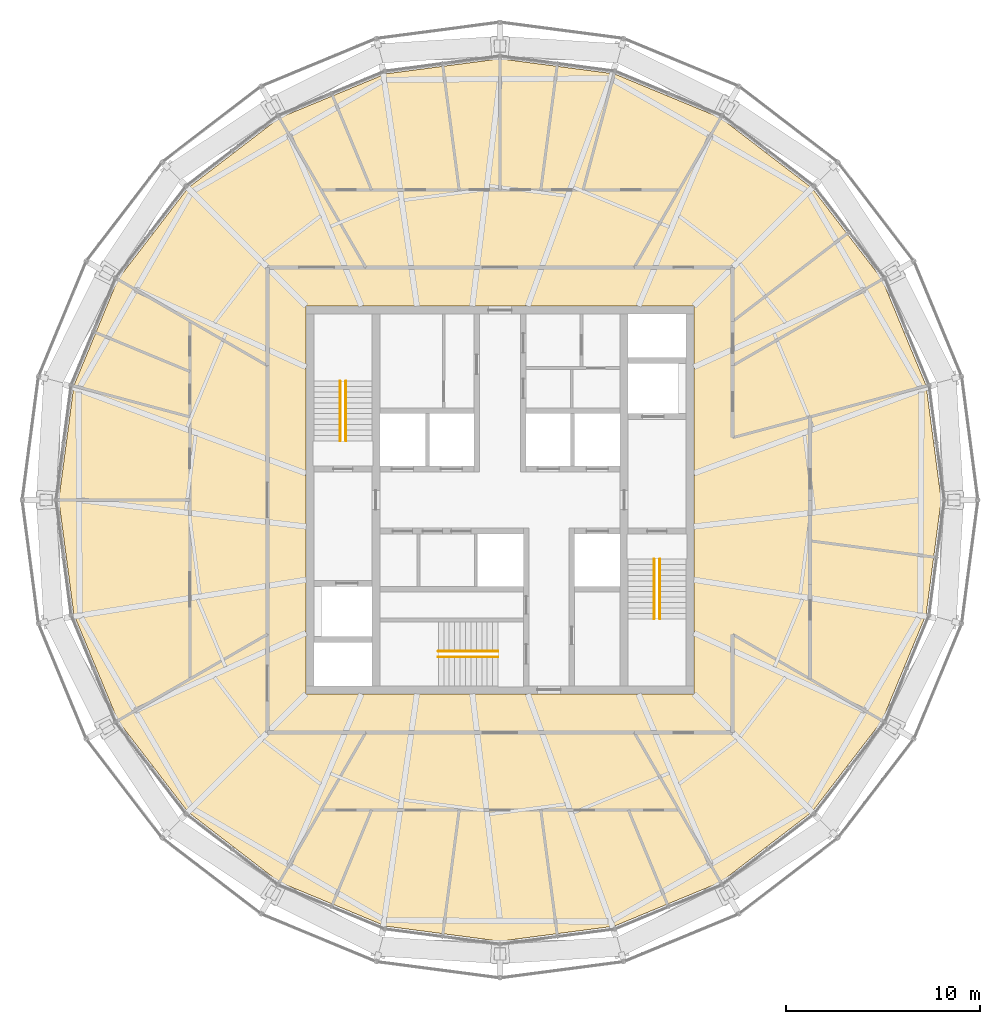
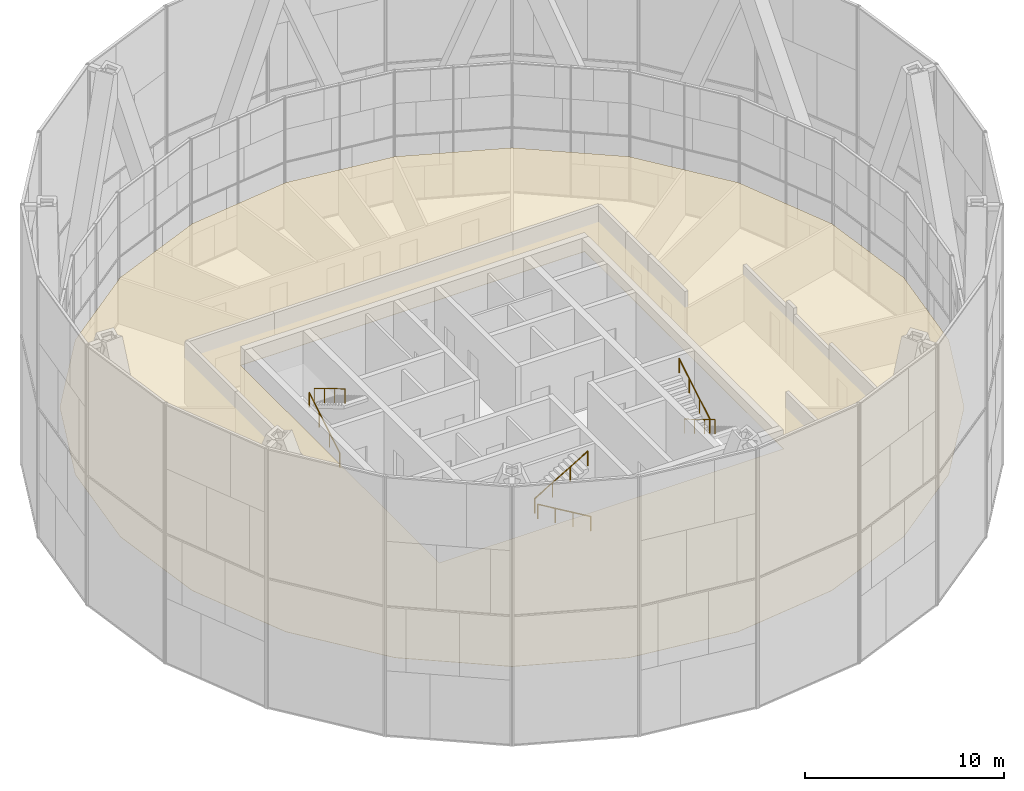
# One storey, part 23 of 23: 6 railings, 1 covering.
"""IFC4 building model written with IfcOpenShell, lengths in metres."""

from ifc_helpers import new_model, si_unit, direction, frame, origin, origin_2d, place, context, subcontext, project, spatial, polyline, circle, outline, extrude, material, layer, layer_set, type_object, element, save


model = new_model("IFC4")

# Units and contexts
model_context = context("Model", 3, precision=1e-05, world=origin(), true_north=direction((0.0, 1.0)))
body_context = subcontext(model_context, "Body", "Model", "MODEL_VIEW")
ifc_project = project(units=[si_unit("LENGTHUNIT", "METRE"), si_unit("AREAUNIT", "SQUARE_METRE"), si_unit("VOLUMEUNIT", "CUBIC_METRE"), si_unit("PLANEANGLEUNIT", "RADIAN"), si_unit("MASSUNIT", "GRAM", prefix="KILO")], contexts=[model_context])

# Site, building, storey
site_placement = place(None, origin())
site = spatial("IfcSite", under=ifc_project, at=site_placement, CompositionType="ELEMENT")
building_placement = place(site_placement, origin())
building = spatial("IfcBuilding", under=site, at=building_placement, Name="Golbaran Civic Tower", CompositionType="ELEMENT")
storey_placement = place(building_placement, frame((0.0, 0.0, 232.0)))
storey = spatial("IfcBuildingStorey", under=building, at=storey_placement, Name="L56", CompositionType="ELEMENT", Elevation=232.0)

# Railings
ifc_material_1 = material(Name="Stainless steel", Category="steel")
railing_type = type_object("IfcRailingType", Name="STAIR HANDRAIL 900", PredefinedType="HANDRAIL", material=ifc_material_1)
railing_1_placement = place(storey_placement, frame((-8.25, 3.050048828125, 0.166748046875)))
element("IfcRailing", 1, at=railing_1_placement, inside=storey, type_object=railing_type, Name="Stair S1 handrail flight 1 L56", PredefinedType="HANDRAIL", context=body_context, shape_type="SweptSolid", body=[
    extrude(circle(Radius=0.02392578125, at=origin_2d()), frame((0.0, 0.0, 0.8759765625), z_axis=(0.0, 0.859290745958, 0.51148745235), x_axis=(-1.0, 0.0, 0.0)), (0.0, 0.0, 1.0), 3.584228515625),
    extrude(circle(Radius=0.02099609375, at=origin_2d()), origin(), (0.0, 0.0, 1.0), 0.851806640625),
    extrude(circle(Radius=0.02099609375, at=origin_2d()), frame((0.0, 1.026611328125, 0.611083984375)), (0.0, 0.0, 1.0), 0.851806640625),
    extrude(circle(Radius=0.02099609375, at=origin_2d()), frame((0.0, 2.05322265625, 1.22216796875)), (0.0, 0.0, 1.0), 0.851806640625),
    extrude(circle(Radius=0.02099609375, at=origin_2d()), frame((0.0, 3.079833984375, 1.833251953125)), (0.0, 0.0, 1.0), 0.851806640625),
])
for number, where, name in (
    (2, (-7.949951171875, 6.1298828125, 2.166748046875), "Stair S1 handrail flight 2 L56"),
    (3, (8.25, -3.050048828125, 0.166748046875), "Stair S2 handrail flight 1 L56"),
):
    element("IfcRailing", number, at=place(storey_placement, frame(where)), inside=storey, type_object=railing_type, Name=name, PredefinedType="HANDRAIL", context=body_context, shape_type="SweptSolid", body=[
        extrude(circle(Radius=0.02392578125, at=origin_2d()), frame((0.0, 0.0, 0.8759765625), z_axis=(0.0, -0.859290745958, 0.51148745235), x_axis=(1.0, 0.0, 0.0)), (0.0, 0.0, 1.0), 3.584228515625),
        extrude(circle(Radius=0.02099609375, at=origin_2d()), origin(), (0.0, 0.0, 1.0), 0.851806640625),
        extrude(circle(Radius=0.02099609375, at=origin_2d()), frame((0.0, -1.026611328125, 0.611083984375)), (0.0, 0.0, 1.0), 0.851806640625),
        extrude(circle(Radius=0.02099609375, at=origin_2d()), frame((0.0, -2.05322265625, 1.22216796875)), (0.0, 0.0, 1.0), 0.851806640625),
        extrude(circle(Radius=0.02099609375, at=origin_2d()), frame((0.0, -3.079833984375, 1.833251953125)), (0.0, 0.0, 1.0), 0.851806640625),
    ])
railing_2_placement = place(storey_placement, frame((7.949951171875, -6.1298828125, 2.166748046875)))
element("IfcRailing", 4, at=railing_2_placement, inside=storey, type_object=railing_type, Name="Stair S2 handrail flight 2 L56", PredefinedType="HANDRAIL", context=body_context, shape_type="SweptSolid", body=[
    extrude(circle(Radius=0.02392578125, at=origin_2d()), frame((0.0, 0.0, 0.8759765625), z_axis=(0.0, 0.859290745958, 0.51148745235), x_axis=(-1.0, 0.0, 0.0)), (0.0, 0.0, 1.0), 3.584228515625),
    extrude(circle(Radius=0.02099609375, at=origin_2d()), origin(), (0.0, 0.0, 1.0), 0.851806640625),
    extrude(circle(Radius=0.02099609375, at=origin_2d()), frame((0.0, 1.026611328125, 0.611083984375)), (0.0, 0.0, 1.0), 0.851806640625),
    extrude(circle(Radius=0.02099609375, at=origin_2d()), frame((0.0, 2.05322265625, 1.22216796875)), (0.0, 0.0, 1.0), 0.851806640625),
    extrude(circle(Radius=0.02099609375, at=origin_2d()), frame((0.0, 3.079833984375, 1.833251953125)), (0.0, 0.0, 1.0), 0.851806640625),
])
railing_3_placement = place(storey_placement, frame((-0.10009765625, -8.10009765625, 0.166748046875)))
element("IfcRailing", 5, at=railing_3_placement, inside=storey, type_object=railing_type, Name="Stair S3 handrail flight 1 L56", PredefinedType="HANDRAIL", context=body_context, shape_type="SweptSolid", body=[
    extrude(circle(Radius=0.02392578125, at=origin_2d()), frame((0.0, 0.0, 0.8759765625), z_axis=(-0.859290745958, 0.0, 0.51148745235), x_axis=(0.0, -1.0, 0.0)), (0.0, 0.0, 1.0), 3.584228515625),
    extrude(circle(Radius=0.02099609375, at=origin_2d()), origin(), (0.0, 0.0, 1.0), 0.851806640625),
    extrude(circle(Radius=0.02099609375, at=origin_2d()), frame((-1.026611328125, 0.0, 0.611083984375)), (0.0, 0.0, 1.0), 0.851806640625),
    extrude(circle(Radius=0.02099609375, at=origin_2d()), frame((-2.05322265625, 0.0, 1.22216796875)), (0.0, 0.0, 1.0), 0.851806640625),
    extrude(circle(Radius=0.02099609375, at=origin_2d()), frame((-3.079833984375, 0.0, 1.833251953125)), (0.0, 0.0, 1.0), 0.851806640625),
])
railing_4_placement = place(storey_placement, frame((-3.179931640625, -7.800048828125, 2.166748046875)))
element("IfcRailing", 6, at=railing_4_placement, inside=storey, type_object=railing_type, Name="Stair S3 handrail flight 2 L56", PredefinedType="HANDRAIL", context=body_context, shape_type="SweptSolid", body=[
    extrude(circle(Radius=0.02392578125, at=origin_2d()), frame((0.0, 0.0, 0.8759765625), z_axis=(0.859290745958, 0.0, 0.51148745235), x_axis=(0.0, 1.0, 0.0)), (0.0, 0.0, 1.0), 3.584228515625),
    extrude(circle(Radius=0.02099609375, at=origin_2d()), origin(), (0.0, 0.0, 1.0), 0.851806640625),
    extrude(circle(Radius=0.02099609375, at=origin_2d()), frame((1.026611328125, 0.0, 0.611083984375)), (0.0, 0.0, 1.0), 0.851806640625),
    extrude(circle(Radius=0.02099609375, at=origin_2d()), frame((2.05322265625, 0.0, 1.22216796875)), (0.0, 0.0, 1.0), 0.851806640625),
    extrude(circle(Radius=0.02099609375, at=origin_2d()), frame((3.079833984375, 0.0, 1.833251953125)), (0.0, 0.0, 1.0), 0.851806640625),
])

# Covering
ifc_material_2 = material(Name="Mineral fibre tile on steel grid", Category="steel")
ifc_layer = layer(ifc_material_2, 0.02001953125, Name="Mineral fibre tile on steel grid")
ifc_layer_set = layer_set([ifc_layer], Name="Mineral fibre tile on steel grid")
covering_type = type_object("IfcCoveringType", Name="SUSPENDED CEILING 600 TILE 20", PredefinedType="CEILING", material=ifc_layer_set)
covering_placement = place(storey_placement, frame((0.0, 0.0, 2.800048828125)))
element("IfcCovering", 7, at=covering_placement, inside=storey, type_object=covering_type, Name="Suspended ceiling L56", PredefinedType="CEILING", context=body_context, shape_type="SweptSolid", body=[
    extrude(outline(polyline([(-19.71337890625, 11.381591796875), (-16.095947265625, 16.095947265625), (-11.381591796875, 19.71337890625), (-5.8916015625, 21.9873046875), (-3.094482421875, 22.355712890625), (0.0, 22.762939453125), (5.8916015625, 21.9873046875), (11.381591796875, 19.71337890625), (16.095947265625, 16.095947265625), (19.71337890625, 11.381591796875), (21.9873046875, 5.8916015625), (22.762939453125, 0.0), (21.9873046875, -5.8916015625), (19.71337890625, -11.381591796875), (16.095947265625, -16.095947265625), (11.381591796875, -19.71337890625), (5.8916015625, -21.9873046875), (3.094482421875, -22.355712890625), (0.0, -22.762939453125), (-5.8916015625, -21.9873046875), (-11.381591796875, -19.71337890625), (-16.095947265625, -16.095947265625), (-19.71337890625, -11.381591796875), (-21.9873046875, -5.8916015625), (-22.762939453125, 0.0), (-21.9873046875, 5.8916015625), (-19.71337890625, 11.381591796875)]), holes=[polyline([(-10.0, -10.0), (10.0, -10.0), (10.0, 10.0), (-10.0, 10.0), (-10.0, -10.0)])]), origin(), (0.0, 0.0, 1.0), 0.02001953125),
])

save(model, "model.ifc")
